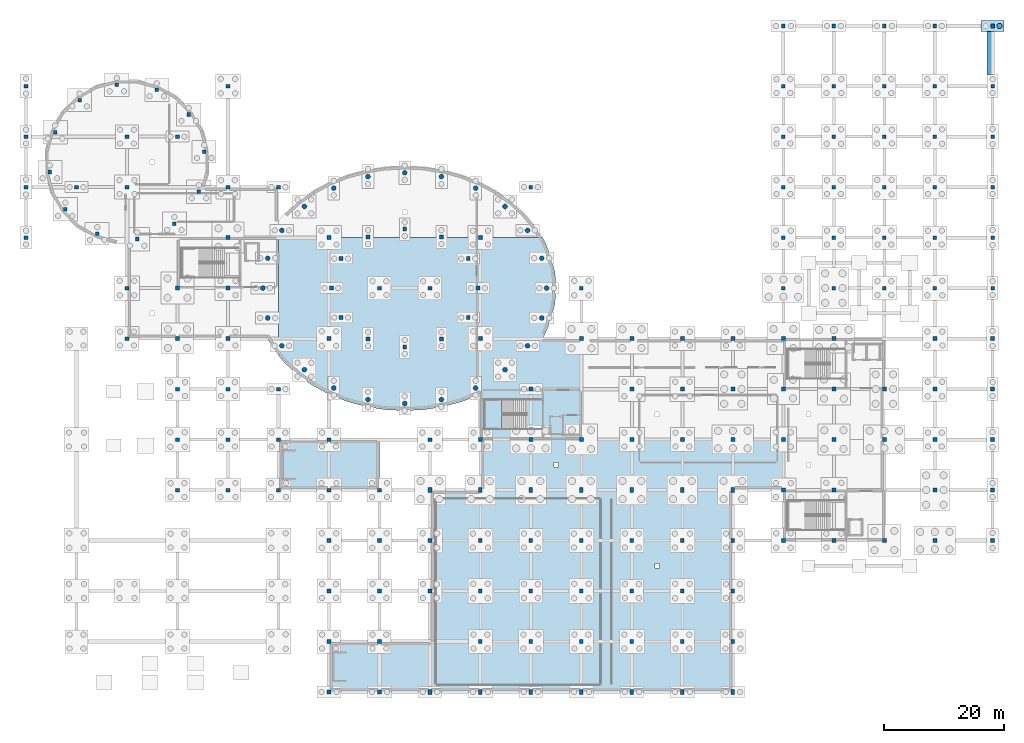
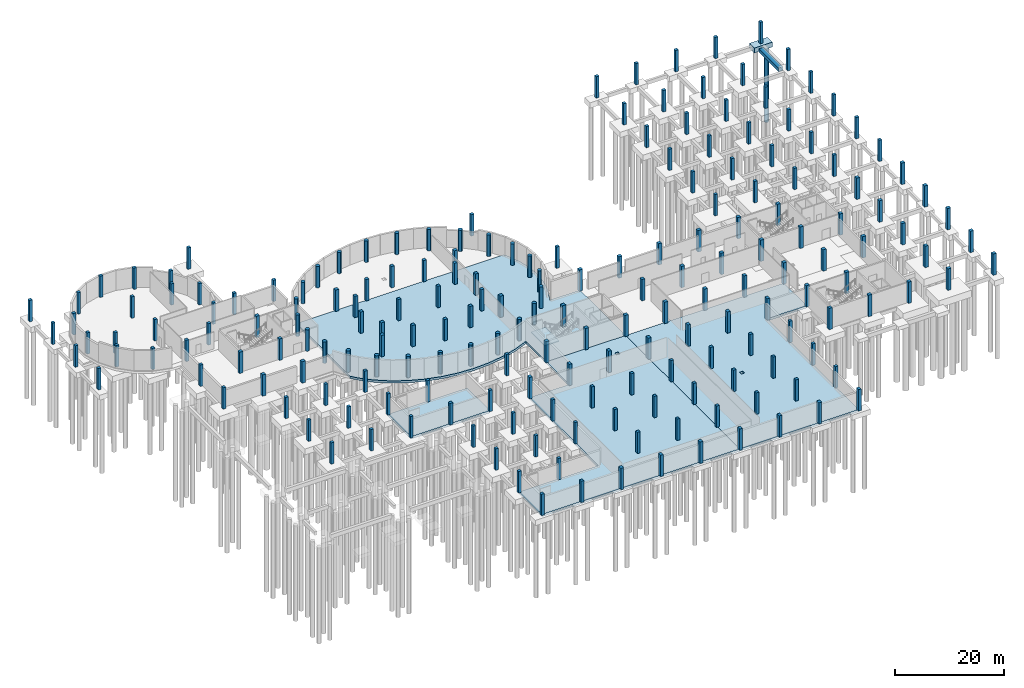
# One storey, part 12 of 24: 196 columns, 5 slabs, 2 footings, 1 pile, 1 element without a shape of its own.
"""IFC4 building model written with IfcOpenShell, lengths in metres."""

from ifc_helpers import new_model, si_unit, derived_unit, direction, frame, origin, origin_2d, place, context, subcontext, project, spatial, polyline, rectangle, circle, outline, extrude, material, layer, layer_set, material_profile, profile_set, type_object, element, aggregate, save


model = new_model("IFC4")

# Units and contexts
model_context = context("Model", 3, precision=1e-05, world=origin(), true_north=direction((0.0, 1.0)))
body_context = subcontext(model_context, "Body", "Model", "MODEL_VIEW")
ifc_project = project(units=[si_unit("LENGTHUNIT", "METRE"), si_unit("AREAUNIT", "SQUARE_METRE"), si_unit("VOLUMEUNIT", "CUBIC_METRE"), si_unit("PLANEANGLEUNIT", "RADIAN"), si_unit("MASSUNIT", "GRAM", prefix="KILO"), derived_unit("THERMALTRANSMITTANCEUNIT", [(si_unit("POWERUNIT", "WATT"), 1), (si_unit("LENGTHUNIT", "METRE"), -2), (si_unit("THERMODYNAMICTEMPERATUREUNIT", "KELVIN"), -1)])], contexts=[model_context])

# Site, building, storey
site_placement = place(None, origin())
site = spatial("IfcSite", under=ifc_project, at=site_placement, CompositionType="ELEMENT")
building_placement = place(site_placement, origin())
building = spatial("IfcBuilding", under=site, at=building_placement, Name="Elbkamm Science Centre", CompositionType="ELEMENT")
storey_placement = place(building_placement, frame((0.0, 0.0, -4.800048828125)))
storey = spatial("IfcBuildingStorey", under=building, at=storey_placement, Name="B01", CompositionType="ELEMENT", Elevation=-4.800048828125)

# Footings
ifc_material_1 = material(Name="Concrete C35/45", Category="concrete")
footing_type_1 = type_object("IfcFootingType", Name="FTG-STRIP-900x800", PredefinedType="STRIP_FOOTING", material=ifc_material_1)
footing_1_placement = place(storey_placement, frame((160.35009765625, 106.300048828125, -1.2998046875), z_axis=(0.0, 0.0, 1.0), x_axis=(1.0, 0.0, 0.0)))
element("IfcFooting", 1, at=footing_1_placement, inside=storey, type_object=footing_type_1, Name="Perimeter Retaining Wall Strip Footing 01", PredefinedType="STRIP_FOOTING", context=body_context, shape_type="SweptSolid", body=[
    extrude(rectangle(XDim=0.89990234375, YDim=7.199951171875, at=origin_2d()), origin(), (0.0, 0.0, 1.0), 0.800048828125),
])
ifc_layer_1 = layer(ifc_material_1, 1.10009765625)
ifc_layer_set_1 = layer_set([ifc_layer_1], Name="Concrete C35/45")
footing_type_2 = type_object("IfcFootingType", Name="PC-2P-380x180x110", PredefinedType="PILE_CAP", material=ifc_layer_set_1)
footing_2_placement = place(storey_placement, frame((160.800048828125, 110.800048828125, -1.10009765625), z_axis=(0.0, 0.0, 1.0), x_axis=(1.0, 0.0, 0.0)))
element("IfcFooting", 2, at=footing_2_placement, inside=storey, type_object=footing_type_2, Name="Pile Cap GRID-20-P", PredefinedType="PILE_CAP", context=body_context, shape_type="SweptSolid", body=[
    extrude(rectangle(XDim=3.800048828125, YDim=1.800048828125, at=origin_2d()), origin(), (0.0, 0.0, 1.0), 1.10009765625),
])

# Pile
ifc_material_profile_1 = material_profile(ifc_material_1, circle(Radius=0.449951171875, at=origin_2d()), Name="PILE D900")
ifc_profile_set_1 = profile_set([ifc_material_profile_1], Name="Concrete C35/45")
pile_type = type_object("IfcPileType", Name="PILE-BORED-900", PredefinedType="BORED", material=ifc_profile_set_1)
pile_placement = place(storey_placement, frame((161.949951171875, 110.800048828125, -1.0), z_axis=(0.0, 0.0, -1.0), x_axis=(1.0, 0.0, 0.0)))
element("IfcPile", 3, at=pile_placement, inside=storey, type_object=pile_type, Name="Bored Pile GRID-20-P-2", PredefinedType="BORED", context=body_context, shape_type="SweptSolid", body=[
    extrude(circle(Radius=0.449951171875, at=origin_2d()), origin(), (0.0, 0.0, 1.0), 17.0),
])

# Columns
ifc_material_2 = material(Name="Concrete C40/50", Category="concrete")
ifc_material_profile_2 = material_profile(ifc_material_2, rectangle(XDim=0.60009765625, YDim=0.60009765625, at=origin_2d()), Name="RC 600x600")
ifc_profile_set_2 = profile_set([ifc_material_profile_2], Name="Concrete C40/50")
column_type_1 = type_object("IfcColumnType", Name="COL-RC-600", PredefinedType="COLUMN", material=ifc_profile_set_2)
for number, where, z_axis, x_axis, name in (
    (4, (29.638916015625, 89.889892578125, 0.0), (0.0, 0.0, 1.0), (1.0, 0.0, 0.0), "B01 Column DRUM-01"),
    (5, (27.073974609375, 96.0830078125, 0.0), (0.0, 0.0, 1.0), (1.0, 0.0, 0.0), "B01 Column DRUM-02"),
    (6, (21.756103515625, 100.1640625, 0.0), (0.0, 0.0, 1.0), (1.0, 0.0, 0.0), "B01 Column DRUM-03"),
    (7, (15.110107421875, 101.0390625, 0.0), (0.0, 0.0, 1.0), (1.0, 0.0, 0.0), "B01 Column DRUM-04"),
    (8, (8.9169921875, 98.47412109375, 0.0), (0.0, 0.0, 1.0), (1.0, 0.0, 0.0), "B01 Column DRUM-05"),
    (9, (4.8359375, 93.156005859375, 0.0), (0.0, 0.0, 1.0), (1.0, 0.0, 0.0), "B01 Column DRUM-06"),
    (10, (3.9609375, 86.510009765625, 0.0), (0.0, 0.0, 1.0), (1.0, 0.0, 0.0), "B01 Column DRUM-07"),
    (11, (6.52587890625, 80.31689453125, 0.0), (0.0, 0.0, 1.0), (1.0, 0.0, 0.0), "B01 Column DRUM-08"),
    (12, (11.843994140625, 76.236083984375, 0.0), (0.0, 0.0, 1.0), (1.0, 0.0, 0.0), "B01 Column DRUM-09"),
    (13, (18.489990234375, 75.361083984375, 0.0), (0.0, 0.0, 1.0), (1.0, 0.0, 0.0), "B01 Column DRUM-10"),
    (14, (24.68310546875, 77.926025390625, 0.0), (0.0, 0.0, 1.0), (1.0, 0.0, 0.0), "B01 Column DRUM-11"),
    (15, (28.763916015625, 83.243896484375, 0.0), (0.0, 0.0, 1.0), (1.0, 0.0, 0.0), "B01 Column DRUM-12"),
    (16, (0.0, 75.60009765625, 0.0), (0.0, 0.0, 1.0), (1.0, 0.0, 0.0), "B01 Column GRID-1-K"),
    (17, (0.0, 84.0, 0.0), (0.0, 0.0, 1.0), (1.0, 0.0, 0.0), "B01 Column GRID-1-L"),
    (18, (0.0, 92.39990234375, 0.0), (0.0, 0.0, 1.0), (1.0, 0.0, 0.0), "B01 Column GRID-1-M"),
    (19, (0.0, 100.800048828125, 0.0), (0.0, 0.0, 1.0), (1.0, 0.0, 0.0), "B01 Column GRID-1-N"),
    (20, (8.39990234375, 84.0, 0.0), (0.0, 0.0, 1.0), (1.0, 0.0, 0.0), "B01 Column GRID-2-L"),
    (21, (16.800048828125, 58.800048828125, 0.0), (0.0, 0.0, 1.0), (1.0, 0.0, 0.0), "B01 Column GRID-3-H"),
    (22, (16.800048828125, 67.199951171875, 0.0), (0.0, 0.0, 1.0), (1.0, 0.0, 0.0), "B01 Column GRID-3-J"),
    (23, (16.800048828125, 84.0, 0.0), (0.0, 0.0, 1.0), (1.0, 0.0, 0.0), "B01 Column GRID-3-L"),
    (24, (16.800048828125, 92.39990234375, 0.0), (0.0, 0.0, 1.0), (1.0, 0.0, 0.0), "B01 Column GRID-3-M"),
    (25, (25.199951171875, 33.60009765625, 0.0), (0.0, 0.0, 1.0), (1.0, 0.0, 0.0), "B01 Column GRID-4-E"),
    (26, (25.199951171875, 42.0, 0.0), (0.0, 0.0, 1.0), (1.0, 0.0, 0.0), "B01 Column GRID-4-F"),
    (27, (25.199951171875, 50.39990234375, 0.0), (0.0, 0.0, 1.0), (1.0, 0.0, 0.0), "B01 Column GRID-4-G"),
    (28, (25.199951171875, 92.39990234375, 0.0), (0.0, 0.0, 1.0), (1.0, 0.0, 0.0), "B01 Column GRID-4-M"),
    (29, (33.60009765625, 33.60009765625, 0.0), (0.0, 0.0, 1.0), (1.0, 0.0, 0.0), "B01 Column GRID-5-E"),
    (30, (33.60009765625, 42.0, 0.0), (0.0, 0.0, 1.0), (1.0, 0.0, 0.0), "B01 Column GRID-5-F"),
    (31, (33.60009765625, 50.39990234375, 0.0), (0.0, 0.0, 1.0), (1.0, 0.0, 0.0), "B01 Column GRID-5-G"),
    (32, (33.60009765625, 84.0, 0.0), (0.0, 0.0, 1.0), (1.0, 0.0, 0.0), "B01 Column GRID-5-L"),
    (33, (33.60009765625, 100.800048828125, 0.0), (0.0, 0.0, 1.0), (1.0, 0.0, 0.0), "B01 Column GRID-5-N"),
    (34, (42.0, 33.60009765625, 0.0), (0.0, 0.0, 1.0), (1.0, 0.0, 0.0), "B01 Column GRID-6-E"),
    (35, (42.0, 42.0, 0.0), (0.0, 0.0, 1.0), (1.0, 0.0, 0.0), "B01 Column GRID-6-F"),
    (36, (42.0, 50.39990234375, 0.0), (0.0, 0.0, 1.0), (1.0, 0.0, 0.0), "B01 Column GRID-6-G"),
    (37, (42.0, 84.0, 0.0), (0.0, 0.0, 1.0), (1.0, 0.0, 0.0), "B01 Column GRID-6-L"),
    (38, (50.39990234375, 0.0, 0.0), (0.0, 0.0, 1.0), (1.0, 0.0, 0.0), "B01 Column GRID-7-A"),
    (39, (50.39990234375, 8.39990234375, 0.0), (0.0, 0.0, 1.0), (1.0, 0.0, 0.0), "B01 Column GRID-7-B"),
    (40, (50.39990234375, 16.800048828125, 0.0), (0.0, 0.0, 1.0), (1.0, 0.0, 0.0), "B01 Column GRID-7-C"),
    (41, (50.39990234375, 25.199951171875, 0.0), (0.0, 0.0, 1.0), (1.0, 0.0, 0.0), "B01 Column GRID-7-D"),
    (42, (50.39990234375, 33.60009765625, 0.0), (0.0, 0.0, 1.0), (1.0, 0.0, 0.0), "B01 Column GRID-7-E"),
    (43, (50.39990234375, 42.0, 0.0), (0.0, 0.0, 1.0), (1.0, 0.0, 0.0), "B01 Column GRID-7-F"),
    (44, (58.800048828125, 0.0, 0.0), (0.0, 0.0, 1.0), (1.0, 0.0, 0.0), "B01 Column GRID-8-A"),
    (45, (58.800048828125, 8.39990234375, 0.0), (0.0, 0.0, 1.0), (1.0, 0.0, 0.0), "B01 Column GRID-8-B"),
    (46, (58.800048828125, 16.800048828125, 0.0), (0.0, 0.0, 1.0), (1.0, 0.0, 0.0), "B01 Column GRID-8-C"),
    (47, (58.800048828125, 25.199951171875, 0.0), (0.0, 0.0, 1.0), (1.0, 0.0, 0.0), "B01 Column GRID-8-D"),
    (48, (58.800048828125, 33.60009765625, 0.0), (0.0, 0.0, 1.0), (1.0, 0.0, 0.0), "B01 Column GRID-8-E"),
    (49, (58.800048828125, 67.199951171875, 0.0), (0.0, 0.0, 1.0), (1.0, 0.0, 0.0), "B01 Column GRID-8-J"),
    (50, (67.199951171875, 16.800048828125, 0.0), (0.0, 0.0, 1.0), (1.0, 0.0, 0.0), "B01 Column GRID-9-C"),
    (51, (67.199951171875, 25.199951171875, 0.0), (0.0, 0.0, 1.0), (1.0, 0.0, 0.0), "B01 Column GRID-9-D"),
    (52, (67.199951171875, 42.0, 0.0), (0.0, 0.0, 1.0), (1.0, 0.0, 0.0), "B01 Column GRID-9-F"),
    (53, (67.199951171875, 67.199951171875, 0.0), (0.0, 0.0, 1.0), (1.0, 0.0, 0.0), "B01 Column GRID-9-J"),
    (54, (75.60009765625, 8.39990234375, 0.0), (0.0, 0.0, 1.0), (1.0, 0.0, 0.0), "B01 Column GRID-10-B"),
    (55, (75.60009765625, 16.800048828125, 0.0), (0.0, 0.0, 1.0), (1.0, 0.0, 0.0), "B01 Column GRID-10-C"),
    (56, (75.60009765625, 25.199951171875, 0.0), (0.0, 0.0, 1.0), (1.0, 0.0, 0.0), "B01 Column GRID-10-D"),
    (57, (84.0, 8.39990234375, 0.0), (0.0, 0.0, 1.0), (1.0, 0.0, 0.0), "B01 Column GRID-11-B"),
    (58, (84.0, 16.800048828125, 0.0), (0.0, 0.0, 1.0), (1.0, 0.0, 0.0), "B01 Column GRID-11-C"),
    (59, (84.0, 25.199951171875, 0.0), (0.0, 0.0, 1.0), (1.0, 0.0, 0.0), "B01 Column GRID-11-D"),
    (60, (84.0, 84.0, 0.0), (0.0, 0.0, 1.0), (1.0, 0.0, 0.0), "B01 Column GRID-11-L"),
    (61, (92.39990234375, 8.39990234375, 0.0), (0.0, 0.0, 1.0), (1.0, 0.0, 0.0), "B01 Column GRID-12-B"),
    (62, (92.39990234375, 16.800048828125, 0.0), (0.0, 0.0, 1.0), (1.0, 0.0, 0.0), "B01 Column GRID-12-C"),
    (63, (92.39990234375, 25.199951171875, 0.0), (0.0, 0.0, 1.0), (1.0, 0.0, 0.0), "B01 Column GRID-12-D"),
    (64, (92.39990234375, 67.199951171875, 0.0), (0.0, 0.0, 1.0), (1.0, 0.0, 0.0), "B01 Column GRID-12-J"),
    (65, (100.800048828125, 8.39990234375, 0.0), (0.0, 0.0, 1.0), (1.0, 0.0, 0.0), "B01 Column GRID-13-B"),
    (66, (100.800048828125, 16.800048828125, 0.0), (0.0, 0.0, 1.0), (1.0, 0.0, 0.0), "B01 Column GRID-13-C"),
    (67, (100.800048828125, 25.199951171875, 0.0), (0.0, 0.0, 1.0), (1.0, 0.0, 0.0), "B01 Column GRID-13-D"),
    (68, (109.199951171875, 8.39990234375, 0.0), (0.0, 0.0, 1.0), (1.0, 0.0, 0.0), "B01 Column GRID-14-B"),
    (69, (109.199951171875, 16.800048828125, 0.0), (0.0, 0.0, 1.0), (1.0, 0.0, 0.0), "B01 Column GRID-14-C"),
    (70, (109.199951171875, 25.199951171875, 0.0), (0.0, 0.0, 1.0), (1.0, 0.0, 0.0), "B01 Column GRID-14-D"),
    (71, (117.60009765625, 8.39990234375, 0.0), (0.0, 0.0, 1.0), (1.0, 0.0, 0.0), "B01 Column GRID-15-B"),
    (72, (117.60009765625, 16.800048828125, 0.0), (0.0, 0.0, 1.0), (1.0, 0.0, 0.0), "B01 Column GRID-15-C"),
    (73, (117.60009765625, 25.199951171875, 0.0), (0.0, 0.0, 1.0), (1.0, 0.0, 0.0), "B01 Column GRID-15-D"),
    (74, (126.0, 67.199951171875, 0.0), (0.0, 0.0, 1.0), (1.0, 0.0, 0.0), "B01 Column GRID-16-J"),
    (75, (126.0, 75.60009765625, 0.0), (0.0, 0.0, 1.0), (1.0, 0.0, 0.0), "B01 Column GRID-16-K"),
    (76, (126.0, 84.0, 0.0), (0.0, 0.0, 1.0), (1.0, 0.0, 0.0), "B01 Column GRID-16-L"),
    (77, (126.0, 92.39990234375, 0.0), (0.0, 0.0, 1.0), (1.0, 0.0, 0.0), "B01 Column GRID-16-M"),
    (78, (134.39990234375, 67.199951171875, 0.0), (0.0, 0.0, 1.0), (1.0, 0.0, 0.0), "B01 Column GRID-17-J"),
    (79, (134.39990234375, 75.60009765625, 0.0), (0.0, 0.0, 1.0), (1.0, 0.0, 0.0), "B01 Column GRID-17-K"),
    (80, (134.39990234375, 84.0, 0.0), (0.0, 0.0, 1.0), (1.0, 0.0, 0.0), "B01 Column GRID-17-L"),
    (81, (134.39990234375, 92.39990234375, 0.0), (0.0, 0.0, 1.0), (1.0, 0.0, 0.0), "B01 Column GRID-17-M"),
    (82, (134.39990234375, 100.800048828125, 0.0), (0.0, 0.0, 1.0), (1.0, 0.0, 0.0), "B01 Column GRID-17-N"),
    (83, (134.39990234375, 110.800048828125, 0.0), (0.0, 0.0, 1.0), (1.0, 0.0, 0.0), "B01 Column GRID-17-P"),
    (84, (142.800048828125, 67.199951171875, 0.0), (0.0, 0.0, 1.0), (1.0, 0.0, 0.0), "B01 Column GRID-18-J"),
    (85, (142.800048828125, 75.60009765625, 0.0), (0.0, 0.0, 1.0), (1.0, 0.0, 0.0), "B01 Column GRID-18-K"),
    (86, (142.800048828125, 84.0, 0.0), (0.0, 0.0, 1.0), (1.0, 0.0, 0.0), "B01 Column GRID-18-L"),
    (87, (142.800048828125, 92.39990234375, 0.0), (0.0, 0.0, 1.0), (1.0, 0.0, 0.0), "B01 Column GRID-18-M"),
    (88, (142.800048828125, 100.800048828125, 0.0), (0.0, 0.0, 1.0), (1.0, 0.0, 0.0), "B01 Column GRID-18-N"),
    (89, (142.800048828125, 110.800048828125, 0.0), (0.0, 0.0, 1.0), (1.0, 0.0, 0.0), "B01 Column GRID-18-P"),
    (90, (151.199951171875, 67.199951171875, 0.0), (0.0, 0.0, 1.0), (1.0, 0.0, 0.0), "B01 Column GRID-19-J"),
    (91, (151.199951171875, 75.60009765625, 0.0), (0.0, 0.0, 1.0), (1.0, 0.0, 0.0), "B01 Column GRID-19-K"),
    (92, (151.199951171875, 84.0, 0.0), (0.0, 0.0, 1.0), (1.0, 0.0, 0.0), "B01 Column GRID-19-L"),
    (93, (151.199951171875, 92.39990234375, 0.0), (0.0, 0.0, 1.0), (1.0, 0.0, 0.0), "B01 Column GRID-19-M"),
    (94, (151.199951171875, 100.800048828125, 0.0), (0.0, 0.0, 1.0), (1.0, 0.0, 0.0), "B01 Column GRID-19-N"),
    (95, (151.199951171875, 110.800048828125, 0.0), (0.0, 0.0, 1.0), (1.0, 0.0, 0.0), "B01 Column GRID-19-P"),
    (96, (160.800048828125, 67.199951171875, 0.0), (0.0, 0.0, 1.0), (1.0, 0.0, 0.0), "B01 Column GRID-20-J"),
    (97, (160.800048828125, 75.60009765625, 0.0), (0.0, 0.0, 1.0), (1.0, 0.0, 0.0), "B01 Column GRID-20-K"),
    (98, (160.800048828125, 84.0, 0.0), (0.0, 0.0, 1.0), (1.0, 0.0, 0.0), "B01 Column GRID-20-L"),
    (99, (160.800048828125, 92.39990234375, 0.0), (0.0, 0.0, 1.0), (1.0, 0.0, 0.0), "B01 Column GRID-20-M"),
    (100, (160.800048828125, 100.800048828125, 0.0), (0.0, 0.0, 1.0), (1.0, 0.0, 0.0), "B01 Column GRID-20-N"),
    (101, (160.800048828125, 110.800048828125, 0.0), (0.0, 0.0, 1.0), (1.0, 0.0, 0.0), "B01 Column GRID-20-P"),
    (102, (126.0, 100.800048828125, 0.0), (0.0, 0.0, 1.0), (1.0, 0.0, 0.0), "B01 Column GRID-16-N"),
    (103, (126.0, 110.800048828125, 0.0), (0.0, 0.0, 1.0), (1.0, 0.0, 0.0), "B01 Column GRID-16-P"),
):
    element("IfcColumn", number, at=place(storey_placement, frame(where, z_axis=z_axis, x_axis=x_axis)), inside=storey, type_object=column_type_1, Name=name, PredefinedType="COLUMN", context=body_context, shape_type="SweptSolid", body=[
        extrude(rectangle(XDim=0.60009765625, YDim=0.60009765625, at=origin_2d()), origin(), (0.0, 0.0, 1.0), 4.800048828125),
    ])
ifc_material_profile_3 = material_profile(ifc_material_2, rectangle(XDim=0.60009765625, YDim=0.800048828125, at=origin_2d()), Name="RC 600x800")
ifc_profile_set_3 = profile_set([ifc_material_profile_3], Name="Concrete C40/50")
column_type_2 = type_object("IfcColumnType", Name="COL-RC-600x800", PredefinedType="COLUMN", material=ifc_profile_set_3)
for number, where, z_axis, x_axis, name in (
    (104, (67.199951171875, 0.0, 0.0), (0.0, 0.0, 1.0), (1.0, 0.0, 0.0), "B01 Column TH-PIER-S01"),
    (105, (67.199951171875, 33.60009765625, 0.0), (0.0, 0.0, 1.0), (1.0, 0.0, 0.0), "B01 Column TH-PIER-N01"),
    (106, (75.60009765625, 0.0, 0.0), (0.0, 0.0, 1.0), (1.0, 0.0, 0.0), "B01 Column TH-PIER-S02"),
    (107, (75.60009765625, 33.60009765625, 0.0), (0.0, 0.0, 1.0), (1.0, 0.0, 0.0), "B01 Column TH-PIER-N02"),
    (108, (84.0, 0.0, 0.0), (0.0, 0.0, 1.0), (1.0, 0.0, 0.0), "B01 Column TH-PIER-S03"),
    (109, (84.0, 33.60009765625, 0.0), (0.0, 0.0, 1.0), (1.0, 0.0, 0.0), "B01 Column TH-PIER-N03"),
    (110, (92.39990234375, 0.0, 0.0), (0.0, 0.0, 1.0), (1.0, 0.0, 0.0), "B01 Column TH-PIER-S04"),
    (111, (92.39990234375, 33.60009765625, 0.0), (0.0, 0.0, 1.0), (1.0, 0.0, 0.0), "B01 Column TH-PIER-N04"),
    (112, (100.800048828125, 0.0, 0.0), (0.0, 0.0, 1.0), (1.0, 0.0, 0.0), "B01 Column TH-PIER-S05"),
    (113, (100.800048828125, 33.60009765625, 0.0), (0.0, 0.0, 1.0), (1.0, 0.0, 0.0), "B01 Column TH-PIER-N05"),
    (114, (109.199951171875, 0.0, 0.0), (0.0, 0.0, 1.0), (1.0, 0.0, 0.0), "B01 Column TH-PIER-S06"),
    (115, (109.199951171875, 33.60009765625, 0.0), (0.0, 0.0, 1.0), (1.0, 0.0, 0.0), "B01 Column TH-PIER-N06"),
    (116, (117.60009765625, 0.0, 0.0), (0.0, 0.0, 1.0), (1.0, 0.0, 0.0), "B01 Column TH-PIER-S07"),
    (117, (117.60009765625, 33.60009765625, 0.0), (0.0, 0.0, 1.0), (1.0, 0.0, 0.0), "B01 Column TH-PIER-N07"),
):
    element("IfcColumn", number, at=place(storey_placement, frame(where, z_axis=z_axis, x_axis=x_axis)), inside=storey, type_object=column_type_2, Name=name, PredefinedType="COLUMN", context=body_context, shape_type="SweptSolid", body=[
        extrude(rectangle(XDim=0.60009765625, YDim=0.800048828125, at=origin_2d()), origin(), (0.0, 0.0, 1.0), 4.800048828125),
    ])
ifc_material_profile_4 = material_profile(ifc_material_2, rectangle(XDim=0.64990234375, YDim=0.64990234375, at=origin_2d()), Name="RC 650x650")
ifc_profile_set_4 = profile_set([ifc_material_profile_4], Name="Concrete C40/50")
column_type_3 = type_object("IfcColumnType", Name="COL-RC-650", PredefinedType="COLUMN", material=ifc_profile_set_4)
for number, where, z_axis, x_axis, name in (
    (118, (75.199951171875, 67.199951171875, 0.0), (0.0, 0.0, 1.0), (1.0, 0.0, 0.0), "B01 Column SH-IN-01"),
    (119, (73.56591796875, 72.10009765625, 0.0), (0.0, 0.0, 1.0), (1.0, 0.0, 0.0), "B01 Column SH-IN-02"),
    (120, (69.10009765625, 75.68701171875, 0.0), (0.0, 0.0, 1.0), (1.0, 0.0, 0.0), "B01 Column SH-IN-03"),
    (121, (63.0, 77.0, 0.0), (0.0, 0.0, 1.0), (1.0, 0.0, 0.0), "B01 Column SH-IN-04"),
    (122, (56.89990234375, 75.68701171875, 0.0), (0.0, 0.0, 1.0), (1.0, 0.0, 0.0), "B01 Column SH-IN-05"),
    (123, (52.43408203125, 72.10009765625, 0.0), (0.0, 0.0, 1.0), (1.0, 0.0, 0.0), "B01 Column SH-IN-06"),
    (124, (50.800048828125, 67.199951171875, 0.0), (0.0, 0.0, 1.0), (1.0, 0.0, 0.0), "B01 Column SH-IN-07"),
    (125, (52.43408203125, 62.300048828125, 0.0), (0.0, 0.0, 1.0), (1.0, 0.0, 0.0), "B01 Column SH-IN-08"),
    (126, (56.89990234375, 58.712890625, 0.0), (0.0, 0.0, 1.0), (1.0, 0.0, 0.0), "B01 Column SH-IN-09"),
    (127, (63.0, 57.39990234375, 0.0), (0.0, 0.0, 1.0), (1.0, 0.0, 0.0), "B01 Column SH-IN-10"),
    (128, (69.10009765625, 58.712890625, 0.0), (0.0, 0.0, 1.0), (1.0, 0.0, 0.0), "B01 Column SH-IN-11"),
    (129, (73.56591796875, 62.300048828125, 0.0), (0.0, 0.0, 1.0), (1.0, 0.0, 0.0), "B01 Column SH-IN-12"),
):
    element("IfcColumn", number, at=place(storey_placement, frame(where, z_axis=z_axis, x_axis=x_axis)), inside=storey, type_object=column_type_3, Name=name, PredefinedType="COLUMN", context=body_context, shape_type="SweptSolid", body=[
        extrude(rectangle(XDim=0.64990234375, YDim=0.64990234375, at=origin_2d()), origin(), (0.0, 0.0, 1.0), 4.800048828125),
    ])
ifc_material_profile_5 = material_profile(ifc_material_2, rectangle(XDim=0.699951171875, YDim=0.699951171875, at=origin_2d()), Name="RC 700x700")
ifc_profile_set_5 = profile_set([ifc_material_profile_5], Name="Concrete C40/50")
column_type_4 = type_object("IfcColumnType", Name="COL-RC-700", PredefinedType="COLUMN", material=ifc_profile_set_5)
for number, where, z_axis, x_axis, name in (
    (130, (25.199951171875, 58.800048828125, 0.0), (0.0, 0.0, 1.0), (1.0, 0.0, 0.0), "B01 Column GRID-4-H"),
    (131, (25.199951171875, 67.199951171875, 0.0), (0.0, 0.0, 1.0), (1.0, 0.0, 0.0), "B01 Column GRID-4-J"),
    (132, (33.60009765625, 58.800048828125, 0.0), (0.0, 0.0, 1.0), (1.0, 0.0, 0.0), "B01 Column GRID-5-H"),
    (133, (33.60009765625, 67.199951171875, 0.0), (0.0, 0.0, 1.0), (1.0, 0.0, 0.0), "B01 Column GRID-5-J"),
    (134, (33.60009765625, 75.60009765625, 0.0), (0.0, 0.0, 1.0), (1.0, 0.0, 0.0), "B01 Column GRID-5-K"),
    (135, (50.39990234375, 58.800048828125, 0.0), (0.0, 0.0, 1.0), (1.0, 0.0, 0.0), "B01 Column GRID-7-H"),
    (136, (50.39990234375, 75.60009765625, 0.0), (0.0, 0.0, 1.0), (1.0, 0.0, 0.0), "B01 Column GRID-7-K"),
    (137, (75.60009765625, 42.0, 0.0), (0.0, 0.0, 1.0), (1.0, 0.0, 0.0), "B01 Column GRID-10-F"),
    (138, (75.60009765625, 58.800048828125, 0.0), (0.0, 0.0, 1.0), (1.0, 0.0, 0.0), "B01 Column GRID-10-H"),
    (139, (75.60009765625, 75.60009765625, 0.0), (0.0, 0.0, 1.0), (1.0, 0.0, 0.0), "B01 Column GRID-10-K"),
    (140, (84.0, 42.0, 0.0), (0.0, 0.0, 1.0), (1.0, 0.0, 0.0), "B01 Column GRID-11-F"),
    (141, (84.0, 50.39990234375, 0.0), (0.0, 0.0, 1.0), (1.0, 0.0, 0.0), "B01 Column GRID-11-G"),
    (142, (92.39990234375, 42.0, 0.0), (0.0, 0.0, 1.0), (1.0, 0.0, 0.0), "B01 Column GRID-12-F"),
    (143, (92.39990234375, 58.800048828125, 0.0), (0.0, 0.0, 1.0), (1.0, 0.0, 0.0), "B01 Column GRID-12-H"),
    (144, (100.800048828125, 42.0, 0.0), (0.0, 0.0, 1.0), (1.0, 0.0, 0.0), "B01 Column GRID-13-F"),
    (145, (100.800048828125, 50.39990234375, 0.0), (0.0, 0.0, 1.0), (1.0, 0.0, 0.0), "B01 Column GRID-13-G"),
    (146, (100.800048828125, 58.800048828125, 0.0), (0.0, 0.0, 1.0), (1.0, 0.0, 0.0), "B01 Column GRID-13-H"),
    (147, (109.199951171875, 42.0, 0.0), (0.0, 0.0, 1.0), (1.0, 0.0, 0.0), "B01 Column GRID-14-F"),
    (148, (109.199951171875, 50.39990234375, 0.0), (0.0, 0.0, 1.0), (1.0, 0.0, 0.0), "B01 Column GRID-14-G"),
    (149, (109.199951171875, 58.800048828125, 0.0), (0.0, 0.0, 1.0), (1.0, 0.0, 0.0), "B01 Column GRID-14-H"),
    (150, (117.60009765625, 42.0, 0.0), (0.0, 0.0, 1.0), (1.0, 0.0, 0.0), "B01 Column GRID-15-F"),
    (151, (117.60009765625, 50.39990234375, 0.0), (0.0, 0.0, 1.0), (1.0, 0.0, 0.0), "B01 Column GRID-15-G"),
    (152, (117.60009765625, 58.800048828125, 0.0), (0.0, 0.0, 1.0), (1.0, 0.0, 0.0), "B01 Column GRID-15-H"),
    (153, (126.0, 25.199951171875, 0.0), (0.0, 0.0, 1.0), (1.0, 0.0, 0.0), "B01 Column GRID-16-D"),
    (154, (126.0, 33.60009765625, 0.0), (0.0, 0.0, 1.0), (1.0, 0.0, 0.0), "B01 Column GRID-16-E"),
    (155, (126.0, 42.0, 0.0), (0.0, 0.0, 1.0), (1.0, 0.0, 0.0), "B01 Column GRID-16-F"),
    (156, (126.0, 50.39990234375, 0.0), (0.0, 0.0, 1.0), (1.0, 0.0, 0.0), "B01 Column GRID-16-G"),
    (157, (126.0, 58.800048828125, 0.0), (0.0, 0.0, 1.0), (1.0, 0.0, 0.0), "B01 Column GRID-16-H"),
    (158, (134.39990234375, 25.199951171875, 0.0), (0.0, 0.0, 1.0), (1.0, 0.0, 0.0), "B01 Column GRID-17-D"),
    (159, (134.39990234375, 33.60009765625, 0.0), (0.0, 0.0, 1.0), (1.0, 0.0, 0.0), "B01 Column GRID-17-E"),
    (160, (134.39990234375, 42.0, 0.0), (0.0, 0.0, 1.0), (1.0, 0.0, 0.0), "B01 Column GRID-17-F"),
    (161, (134.39990234375, 50.39990234375, 0.0), (0.0, 0.0, 1.0), (1.0, 0.0, 0.0), "B01 Column GRID-17-G"),
    (162, (134.39990234375, 58.800048828125, 0.0), (0.0, 0.0, 1.0), (1.0, 0.0, 0.0), "B01 Column GRID-17-H"),
    (163, (142.800048828125, 25.199951171875, 0.0), (0.0, 0.0, 1.0), (1.0, 0.0, 0.0), "B01 Column GRID-18-D"),
    (164, (142.800048828125, 42.0, 0.0), (0.0, 0.0, 1.0), (1.0, 0.0, 0.0), "B01 Column GRID-18-F"),
    (165, (142.800048828125, 50.39990234375, 0.0), (0.0, 0.0, 1.0), (1.0, 0.0, 0.0), "B01 Column GRID-18-G"),
    (166, (151.199951171875, 25.199951171875, 0.0), (0.0, 0.0, 1.0), (1.0, 0.0, 0.0), "B01 Column GRID-19-D"),
    (167, (151.199951171875, 33.60009765625, 0.0), (0.0, 0.0, 1.0), (1.0, 0.0, 0.0), "B01 Column GRID-19-E"),
    (168, (151.199951171875, 42.0, 0.0), (0.0, 0.0, 1.0), (1.0, 0.0, 0.0), "B01 Column GRID-19-F"),
    (169, (151.199951171875, 50.39990234375, 0.0), (0.0, 0.0, 1.0), (1.0, 0.0, 0.0), "B01 Column GRID-19-G"),
    (170, (151.199951171875, 58.800048828125, 0.0), (0.0, 0.0, 1.0), (1.0, 0.0, 0.0), "B01 Column GRID-19-H"),
    (171, (160.800048828125, 25.199951171875, 0.0), (0.0, 0.0, 1.0), (1.0, 0.0, 0.0), "B01 Column GRID-20-D"),
    (172, (160.800048828125, 33.60009765625, 0.0), (0.0, 0.0, 1.0), (1.0, 0.0, 0.0), "B01 Column GRID-20-E"),
    (173, (160.800048828125, 42.0, 0.0), (0.0, 0.0, 1.0), (1.0, 0.0, 0.0), "B01 Column GRID-20-F"),
    (174, (160.800048828125, 50.39990234375, 0.0), (0.0, 0.0, 1.0), (1.0, 0.0, 0.0), "B01 Column GRID-20-G"),
    (175, (160.800048828125, 58.800048828125, 0.0), (0.0, 0.0, 1.0), (1.0, 0.0, 0.0), "B01 Column GRID-20-H"),
):
    element("IfcColumn", number, at=place(storey_placement, frame(where, z_axis=z_axis, x_axis=x_axis)), inside=storey, type_object=column_type_4, Name=name, PredefinedType="COLUMN", context=body_context, shape_type="SweptSolid", body=[
        extrude(rectangle(XDim=0.699951171875, YDim=0.699951171875, at=origin_2d()), origin(), (0.0, 0.0, 1.0), 4.800048828125),
    ])
ifc_material_3 = material(Name="Concrete C45/55", Category="concrete")
ifc_material_profile_6 = material_profile(ifc_material_3, circle(Radius=0.39990234375, at=origin_2d()), Name="RC D800")
ifc_profile_set_6 = profile_set([ifc_material_profile_6], Name="Concrete C45/55")
column_type_5 = type_object("IfcColumnType", Name="COL-RC-D800", PredefinedType="COLUMN", material=ifc_profile_set_6)
for number, where, z_axis, x_axis, name in (
    (176, (86.60009765625, 67.199951171875, 0.0), (0.0, 0.0, 1.0), (1.0, 0.0, 0.0), "B01 Column SH-OUT-01"),
    (177, (85.7958984375, 72.1689453125, 0.0), (0.0, 0.0, 1.0), (1.0, 0.0, 0.0), "B01 Column SH-OUT-02"),
    (178, (83.43798828125, 76.800048828125, 0.0), (0.0, 0.0, 1.0), (1.0, 0.0, 0.0), "B01 Column SH-OUT-03"),
    (179, (79.68798828125, 80.77587890625, 0.0), (0.0, 0.0, 1.0), (1.0, 0.0, 0.0), "B01 Column SH-OUT-04"),
    (180, (74.800048828125, 83.827880859375, 0.0), (0.0, 0.0, 1.0), (1.0, 0.0, 0.0), "B01 Column SH-OUT-05"),
    (181, (69.10791015625, 85.74609375, 0.0), (0.0, 0.0, 1.0), (1.0, 0.0, 0.0), "B01 Column SH-OUT-06"),
    (182, (63.0, 86.39990234375, 0.0), (0.0, 0.0, 1.0), (1.0, 0.0, 0.0), "B01 Column SH-OUT-07"),
    (183, (56.89208984375, 85.74609375, 0.0), (0.0, 0.0, 1.0), (1.0, 0.0, 0.0), "B01 Column SH-OUT-08"),
    (184, (51.199951171875, 83.827880859375, 0.0), (0.0, 0.0, 1.0), (1.0, 0.0, 0.0), "B01 Column SH-OUT-09"),
    (185, (46.31201171875, 80.77587890625, 0.0), (0.0, 0.0, 1.0), (1.0, 0.0, 0.0), "B01 Column SH-OUT-10"),
    (186, (42.56201171875, 76.800048828125, 0.0), (0.0, 0.0, 1.0), (1.0, 0.0, 0.0), "B01 Column SH-OUT-11"),
    (187, (40.2041015625, 72.1689453125, 0.0), (0.0, 0.0, 1.0), (1.0, 0.0, 0.0), "B01 Column SH-OUT-12"),
    (188, (39.39990234375, 67.199951171875, 0.0), (0.0, 0.0, 1.0), (1.0, 0.0, 0.0), "B01 Column SH-OUT-13"),
    (189, (40.2041015625, 62.23095703125, 0.0), (0.0, 0.0, 1.0), (1.0, 0.0, 0.0), "B01 Column SH-OUT-14"),
    (190, (42.56201171875, 57.60009765625, 0.0), (0.0, 0.0, 1.0), (1.0, 0.0, 0.0), "B01 Column SH-OUT-15"),
    (191, (46.31201171875, 53.6240234375, 0.0), (0.0, 0.0, 1.0), (1.0, 0.0, 0.0), "B01 Column SH-OUT-16"),
    (192, (51.199951171875, 50.572021484375, 0.0), (0.0, 0.0, 1.0), (1.0, 0.0, 0.0), "B01 Column SH-OUT-17"),
    (193, (56.89208984375, 48.654052734375, 0.0), (0.0, 0.0, 1.0), (1.0, 0.0, 0.0), "B01 Column SH-OUT-18"),
    (194, (63.0, 48.0, 0.0), (0.0, 0.0, 1.0), (1.0, 0.0, 0.0), "B01 Column SH-OUT-19"),
    (195, (69.10791015625, 48.654052734375, 0.0), (0.0, 0.0, 1.0), (1.0, 0.0, 0.0), "B01 Column SH-OUT-20"),
    (196, (74.800048828125, 50.572021484375, 0.0), (0.0, 0.0, 1.0), (1.0, 0.0, 0.0), "B01 Column SH-OUT-21"),
    (197, (79.68798828125, 53.6240234375, 0.0), (0.0, 0.0, 1.0), (1.0, 0.0, 0.0), "B01 Column SH-OUT-22"),
    (198, (83.43798828125, 57.60009765625, 0.0), (0.0, 0.0, 1.0), (1.0, 0.0, 0.0), "B01 Column SH-OUT-23"),
    (199, (85.7958984375, 62.23095703125, 0.0), (0.0, 0.0, 1.0), (1.0, 0.0, 0.0), "B01 Column SH-OUT-24"),
):
    element("IfcColumn", number, at=place(storey_placement, frame(where, z_axis=z_axis, x_axis=x_axis)), inside=storey, type_object=column_type_5, Name=name, PredefinedType="COLUMN", context=body_context, shape_type="SweptSolid", body=[
        extrude(circle(Radius=0.39990234375, at=origin_2d()), origin(), (0.0, 0.0, 1.0), 4.800048828125),
    ])

# Slabs
ifc_material_4 = material(Name="Waterproof concrete C35/45", Category="concrete")
ifc_layer_2 = layer(ifc_material_4, 0.5)
ifc_layer_set_2 = layer_set([ifc_layer_2], Name="Waterproof concrete C35/45")
slab_type_1 = type_object("IfcSlabType", Name="SLAB-BASE-500", PredefinedType="BASESLAB", material=ifc_layer_set_2)
slab_1_placement = place(storey_placement, frame((0.0, 0.0, -0.5)))
element("IfcSlab", 200, at=slab_1_placement, inside=storey, type_object=slab_type_1, Name="B01 Structural Slab CS-03", PredefinedType="BASESLAB", context=body_context, shape_type="SweptSolid", body=[
    extrude(outline(polyline([(75.60009765625, 42.0), (92.39990234375, 42.0), (92.39990234375, 0.0), (67.199951171875, 0.0), (50.39990234375, 0.0), (50.39990234375, 8.39990234375), (67.199951171875, 8.39990234375), (67.199951171875, 33.60009765625), (75.60009765625, 33.60009765625), (75.60009765625, 42.0)]), holes=[polyline([(88.550048828125, 38.14990234375), (87.85009765625, 38.14990234375), (87.85009765625, 37.449951171875), (88.550048828125, 37.449951171875), (88.550048828125, 38.14990234375)])]), origin(), (0.0, 0.0, 1.0), 0.5),
])
slab_2_placement = place(storey_placement, frame((0.0, 0.0, -0.5)))
element("IfcSlab", 201, at=slab_2_placement, inside=storey, type_object=slab_type_1, Name="B01 Structural Slab CS-04", PredefinedType="BASESLAB", context=body_context, shape_type="SweptSolid", body=[
    extrude(outline(polyline([(42.0, 42.0), (58.800048828125, 42.0), (58.800048828125, 33.60009765625), (42.0, 33.60009765625), (42.0, 42.0)])), origin(), (0.0, 0.0, 1.0), 0.5),
])
slab_3_placement = place(storey_placement, frame((0.0, 0.0, -0.5)))
element("IfcSlab", 202, at=slab_3_placement, inside=storey, type_object=slab_type_1, Name="B01 Structural Slab CM-05", PredefinedType="BASESLAB", context=body_context, shape_type="SweptSolid", body=[
    extrude(outline(polyline([(75.60009765625, 49.533203125), (72.6435546875, 48.352783203125), (69.522216796875, 47.4951171875), (66.289306640625, 46.974609375), (63.0, 46.800048828125), (59.710693359375, 46.974609375), (56.477783203125, 47.4951171875), (53.3564453125, 48.352783203125), (50.39990234375, 49.533203125), (47.6591796875, 51.015625), (45.180908203125, 52.77490234375), (43.007568359375, 54.78125), (42.0, 56.001953125), (42.0, 75.60009765625), (85.92041015625, 75.60009765625), (86.28173828125, 75.006591796875), (87.34130859375, 72.47998046875), (87.984375, 69.86279296875), (88.199951171875, 67.199951171875), (87.984375, 64.537353515625), (87.34130859375, 61.920166015625), (86.28173828125, 59.393310546875), (85.92041015625, 58.800048828125), (92.39990234375, 58.800048828125), (92.39990234375, 42.0), (75.60009765625, 42.0), (75.60009765625, 49.533203125)])), origin(), (0.0, 0.0, 1.0), 0.5),
])
slab_4_placement = place(storey_placement, frame((0.0, 0.0, -0.5)))
element("IfcSlab", 203, at=slab_4_placement, inside=storey, type_object=slab_type_1, Name="B01 Structural Slab MS-07", PredefinedType="BASESLAB", context=body_context, shape_type="SweptSolid", body=[
    extrude(outline(polyline([(117.60009765625, 33.60009765625), (117.60009765625, 0.0), (92.39990234375, 0.0), (92.39990234375, 42.0), (125.97509765625, 42.0), (125.97509765625, 33.60009765625), (117.60009765625, 33.60009765625)]), holes=[polyline([(105.35009765625, 21.35009765625), (104.64990234375, 21.35009765625), (104.64990234375, 20.64990234375), (105.35009765625, 20.64990234375), (105.35009765625, 21.35009765625)])]), origin(), (0.0, 0.0, 1.0), 0.5),
])

# Stair, slab
ifc_material_5 = material(Name="Reinforced concrete C40/50", Category="concrete")
stair_type = type_object("IfcStairType", Name="ST-TWO-28R-242", PredefinedType="USERDEFINED", material=ifc_material_5)
stair_placement = place(storey_placement, origin())
stair = element("IfcStair", 204, at=stair_placement, inside=storey, type_object=stair_type, Name="B01 Core C2 Central Exhibition and Skybridge Core Escape Stair", ObjectType="TWO_RETURN_STAIR", PredefinedType="USERDEFINED")
ifc_layer_3 = layer(ifc_material_5, 0.199951171875)
ifc_layer_set_3 = layer_set([ifc_layer_3], Name="Reinforced concrete C40/50")
slab_type_2 = type_object("IfcSlabType", Name="SLAB-LAND-200", PredefinedType="LANDING", material=ifc_layer_set_3)
slab_5_placement = place(storey_placement, frame((0.0, 0.0, 2.199951171875)))
slab_5 = element("IfcSlab", 205, at=slab_5_placement, type_object=slab_type_2, Name="ST-C2 landing 1", PredefinedType="LANDING", context=body_context, shape_type="SweptSolid", body=[
    extrude(outline(polyline([(79.219970703125, 48.719970703125), (76.199951171875, 48.719970703125), (76.199951171875, 43.679931640625), (79.219970703125, 43.679931640625), (79.219970703125, 48.719970703125)])), origin(), (0.0, 0.0, 1.0), 0.2001953125),
])
aggregate(stair, [slab_5])

save(model, "model.ifc")
